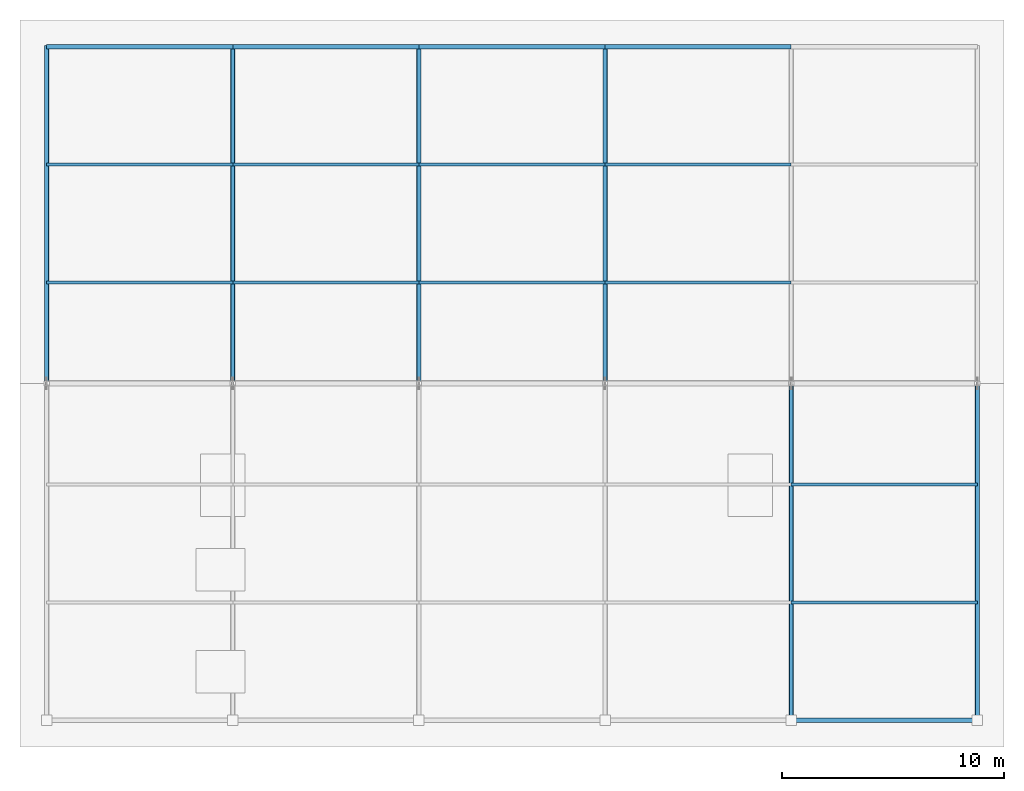
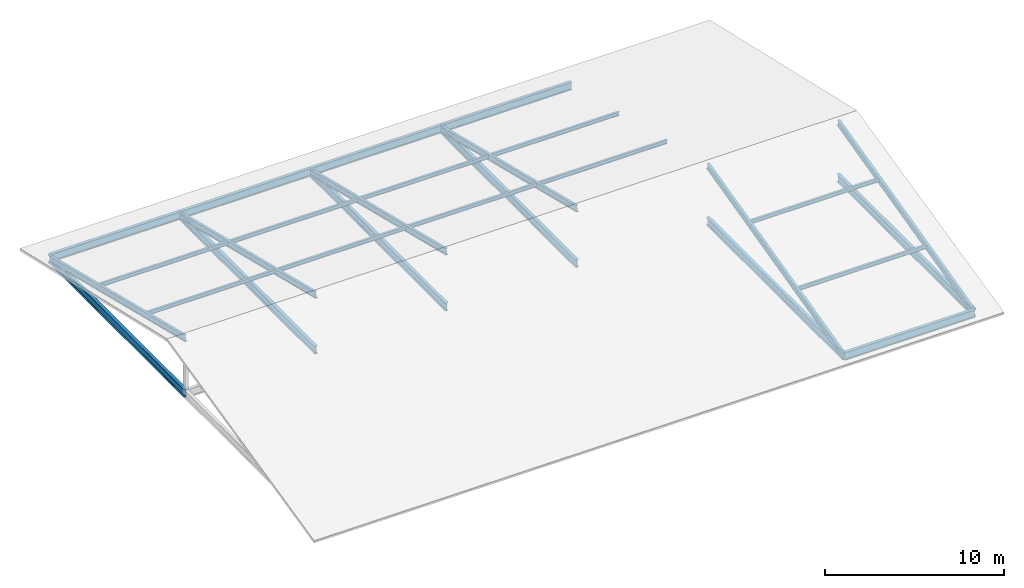
# One storey, part 3 of 8: 16 members, 11 beams.
"""IFC4 building model written with IfcOpenShell, lengths in metres."""

from ifc_helpers import new_model, si_unit, direction, frame, origin, origin_2d, place, context, subcontext, project, spatial, i_section, extrude, material, material_profile, profile_set, type_object, element, save


model = new_model("IFC4")

# Units and contexts
model_context = context("Model", 3, precision=1e-05, world=origin(), true_north=direction((0.0, 1.0)))
body_context = subcontext(model_context, "Body", "Model", "MODEL_VIEW")
ifc_project = project(units=[si_unit("LENGTHUNIT", "METRE"), si_unit("AREAUNIT", "SQUARE_METRE"), si_unit("VOLUMEUNIT", "CUBIC_METRE"), si_unit("PLANEANGLEUNIT", "RADIAN"), si_unit("MASSUNIT", "GRAM", prefix="KILO")], contexts=[model_context])

# Site, building, storey
site_placement = place(None, origin())
site = spatial("IfcSite", under=ifc_project, at=site_placement, CompositionType="ELEMENT")
building_placement = place(site_placement, origin())
building = spatial("IfcBuilding", under=site, at=building_placement, Name="Zuvorla Pavilion Media Centre", CompositionType="ELEMENT")
storey_placement = place(building_placement, frame((0.0, 0.0, 31.199951171875)))
storey = spatial("IfcBuildingStorey", under=building, at=storey_placement, Name="RF", CompositionType="ELEMENT", Elevation=31.199951171875)

# Beams
ifc_material = material(Name="Steel S355", Category="steel")
ifc_material_profile_1 = material_profile(ifc_material, i_section(OverallWidth=0.2099609375, OverallDepth=0.53662109375, WebThickness=0.0107421875, FlangeThickness=0.017333984375, FilletRadius=0.0126953125, at=origin_2d()), Name="UB 533x210x101")
ifc_profile_set_1 = profile_set([ifc_material_profile_1], Name="Steel S355")
beam_type = type_object("IfcBeamType", Name="BM-UB533", PredefinedType="BEAM", material=ifc_profile_set_1)
beam_1_placement = place(storey_placement, frame((100.39990234375, 6.0, -0.280029296875), z_axis=(1.0, 0.0, 0.0), x_axis=(0.0, 1.0, 0.0)))
element("IfcBeam", 1, at=beam_1_placement, inside=storey, type_object=beam_type, Name="RF beam B08 1836", PredefinedType="BEAM", context=body_context, shape_type="SweptSolid", body=[
    extrude(i_section(OverallWidth=0.2099609375, OverallDepth=0.53662109375, WebThickness=0.0107421875, FlangeThickness=0.017333984375, FilletRadius=0.0126953125, at=origin_2d()), origin(), (0.0, 0.0, 1.0), 8.400146484375),
])
beam_2_placement = place(storey_placement, frame((66.800048828125, 36.39990234375, -0.280029296875), z_axis=(1.0, 0.0, 0.0), x_axis=(0.0, 1.0, 0.0)))
element("IfcBeam", 2, at=beam_2_placement, inside=storey, type_object=beam_type, Name="RF beam B08 1842", PredefinedType="BEAM", context=body_context, shape_type="SweptSolid", body=[
    extrude(i_section(OverallWidth=0.2099609375, OverallDepth=0.53662109375, WebThickness=0.0107421875, FlangeThickness=0.017333984375, FilletRadius=0.0126953125, at=origin_2d()), origin(), (0.0, 0.0, 1.0), 8.39990234375),
])
beam_3_placement = place(storey_placement, frame((75.199951171875, 36.39990234375, -0.280029296875), z_axis=(1.0, 0.0, 0.0), x_axis=(0.0, 1.0, 0.0)))
element("IfcBeam", 3, at=beam_3_placement, inside=storey, type_object=beam_type, Name="RF beam B08 1843", PredefinedType="BEAM", context=body_context, shape_type="SweptSolid", body=[
    extrude(i_section(OverallWidth=0.2099609375, OverallDepth=0.53662109375, WebThickness=0.0107421875, FlangeThickness=0.017333984375, FilletRadius=0.0126953125, at=origin_2d()), origin(), (0.0, 0.0, 1.0), 8.400146484375),
])
for number, where, z_axis, x_axis, name in (
    (4, (83.60009765625, 36.39990234375, -0.280029296875), (1.0, 0.0, 0.0), (0.0, 1.0, 0.0), "RF beam B08 1844"),
    (5, (92.0, 36.39990234375, -0.280029296875), (1.0, 0.0, 0.0), (0.0, 1.0, 0.0), "RF beam B08 1845"),
):
    element("IfcBeam", number, at=place(storey_placement, frame(where, z_axis=z_axis, x_axis=x_axis)), inside=storey, type_object=beam_type, Name=name, PredefinedType="BEAM", context=body_context, shape_type="SweptSolid", body=[
        extrude(i_section(OverallWidth=0.2099609375, OverallDepth=0.53662109375, WebThickness=0.0107421875, FlangeThickness=0.017333984375, FilletRadius=0.0126953125, at=origin_2d()), origin(), (0.0, 0.0, 1.0), 8.39990234375),
    ])
for number, where, z_axis, x_axis, name in (
    (6, (66.800048828125, 21.199951171875, -0.280029296875), (0.0, 1.0, 0.0), (-1.0, 0.0, 0.0), "RF beam B08 1848"),
    (7, (75.199951171875, 21.199951171875, -0.280029296875), (0.0, 1.0, 0.0), (-1.0, 0.0, 0.0), "RF beam B08 1850"),
    (8, (83.60009765625, 21.199951171875, -0.280029296875), (0.0, 1.0, 0.0), (-1.0, 0.0, 0.0), "RF beam B08 1852"),
    (9, (92.0, 21.199951171875, -0.280029296875), (0.0, 1.0, 0.0), (-1.0, 0.0, 0.0), "RF beam B08 1854"),
    (10, (100.39990234375, 6.0, -0.280029296875), (0.0, 1.0, 0.0), (-1.0, 0.0, 0.0), "RF beam B08 1855"),
    (11, (108.800048828125, 6.0, -0.280029296875), (0.0, 1.0, 0.0), (-1.0, 0.0, 0.0), "RF beam B08 1857"),
):
    element("IfcBeam", number, at=place(storey_placement, frame(where, z_axis=z_axis, x_axis=x_axis)), inside=storey, type_object=beam_type, Name=name, PredefinedType="BEAM", context=body_context, shape_type="SweptSolid", body=[
        extrude(i_section(OverallWidth=0.2099609375, OverallDepth=0.53662109375, WebThickness=0.0107421875, FlangeThickness=0.017333984375, FilletRadius=0.0126953125, at=origin_2d()), origin(), (0.0, 0.0, 1.0), 15.199951171875),
    ])

# Members
ifc_material_profile_2 = material_profile(ifc_material, i_section(OverallWidth=0.146484375, OverallDepth=0.256103515625, WebThickness=0.00634765625, FlangeThickness=0.010986328125, FilletRadius=0.007568359375, at=origin_2d()), Name="UB 254x146x37")
ifc_profile_set_2 = profile_set([ifc_material_profile_2], Name="Steel S355")
member_type_1 = type_object("IfcMemberType", Name="MEM-PUR-UB254", PredefinedType="PURLIN", material=ifc_profile_set_2)
for number, where, z_axis, x_axis, name in (
    (12, (66.800048828125, 31.080078125, 1.032470703125), (1.0, 0.0, 0.0), (0.0, 1.0, 0.0), "RF purlin PR02 818"),
    (13, (66.800048828125, 25.760009765625, 2.344970703125), (1.0, 0.0, 0.0), (0.0, 1.0, 0.0), "RF purlin PR02 820"),
):
    element("IfcMember", number, at=place(storey_placement, frame(where, z_axis=z_axis, x_axis=x_axis)), inside=storey, type_object=member_type_1, Name=name, PredefinedType="PURLIN", context=body_context, shape_type="SweptSolid", body=[
        extrude(i_section(OverallWidth=0.146484375, OverallDepth=0.256103515625, WebThickness=0.00634765625, FlangeThickness=0.010986328125, FilletRadius=0.007568359375, at=origin_2d()), origin(), (0.0, 0.0, 1.0), 8.39990234375),
    ])
for number, where, z_axis, x_axis, name in (
    (14, (75.199951171875, 31.080078125, 1.032470703125), (1.0, 0.0, 0.0), (0.0, 1.0, 0.0), "RF purlin PR02 823"),
    (15, (75.199951171875, 25.760009765625, 2.344970703125), (1.0, 0.0, 0.0), (0.0, 1.0, 0.0), "RF purlin PR02 825"),
):
    element("IfcMember", number, at=place(storey_placement, frame(where, z_axis=z_axis, x_axis=x_axis)), inside=storey, type_object=member_type_1, Name=name, PredefinedType="PURLIN", context=body_context, shape_type="SweptSolid", body=[
        extrude(i_section(OverallWidth=0.146484375, OverallDepth=0.256103515625, WebThickness=0.00634765625, FlangeThickness=0.010986328125, FilletRadius=0.007568359375, at=origin_2d()), origin(), (0.0, 0.0, 1.0), 8.400146484375),
    ])
for number, where, z_axis, x_axis, name in (
    (16, (83.60009765625, 31.080078125, 1.032470703125), (1.0, 0.0, 0.0), (0.0, 1.0, 0.0), "RF purlin PR02 828"),
    (17, (83.60009765625, 25.760009765625, 2.344970703125), (1.0, 0.0, 0.0), (0.0, 1.0, 0.0), "RF purlin PR02 830"),
    (18, (92.0, 31.080078125, 1.032470703125), (1.0, 0.0, 0.0), (0.0, 1.0, 0.0), "RF purlin PR02 833"),
    (19, (92.0, 25.760009765625, 2.344970703125), (1.0, 0.0, 0.0), (0.0, 1.0, 0.0), "RF purlin PR02 835"),
):
    element("IfcMember", number, at=place(storey_placement, frame(where, z_axis=z_axis, x_axis=x_axis)), inside=storey, type_object=member_type_1, Name=name, PredefinedType="PURLIN", context=body_context, shape_type="SweptSolid", body=[
        extrude(i_section(OverallWidth=0.146484375, OverallDepth=0.256103515625, WebThickness=0.00634765625, FlangeThickness=0.010986328125, FilletRadius=0.007568359375, at=origin_2d()), origin(), (0.0, 0.0, 1.0), 8.39990234375),
    ])
for number, where, z_axis, x_axis, name in (
    (20, (100.39990234375, 11.320068359375, 1.032470703125), (1.0, 0.0, 0.0), (0.0, 1.0, 0.0), "RF purlin PR02 837"),
    (21, (100.39990234375, 16.639892578125, 2.344970703125), (1.0, 0.0, 0.0), (0.0, 1.0, 0.0), "RF purlin PR02 839"),
):
    element("IfcMember", number, at=place(storey_placement, frame(where, z_axis=z_axis, x_axis=x_axis)), inside=storey, type_object=member_type_1, Name=name, PredefinedType="PURLIN", context=body_context, shape_type="SweptSolid", body=[
        extrude(i_section(OverallWidth=0.146484375, OverallDepth=0.256103515625, WebThickness=0.00634765625, FlangeThickness=0.010986328125, FilletRadius=0.007568359375, at=origin_2d()), origin(), (0.0, 0.0, 1.0), 8.400146484375),
    ])
ifc_material_profile_3 = material_profile(ifc_material, i_section(OverallWidth=0.1787109375, OverallDepth=0.409423828125, WebThickness=0.0087890625, FlangeThickness=0.014404296875, FilletRadius=0.01025390625, at=origin_2d()), Name="UB 406x178x67")
ifc_profile_set_3 = profile_set([ifc_material_profile_3], Name="Steel S355")
member_type_2 = type_object("IfcMemberType", Name="MEM-RAF-UB406", PredefinedType="RAFTER", material=ifc_profile_set_3)
for number, where, z_axis, x_axis, name in (
    (22, (66.800048828125, 36.39990234375, -0.280029296875), (0.0, -0.970889126904, 0.239529336951), (1.0, 0.0, 0.0), "RF rafter RF01 800"),
    (23, (75.199951171875, 36.39990234375, -0.280029296875), (0.0, -0.970889126904, 0.239529336951), (1.0, 0.0, 0.0), "RF rafter RF01 803"),
    (24, (83.60009765625, 36.39990234375, -0.280029296875), (0.0, -0.970889126904, 0.239529336951), (1.0, 0.0, 0.0), "RF rafter RF01 806"),
    (25, (92.0, 36.39990234375, -0.280029296875), (0.0, -0.970889126904, 0.239529336951), (1.0, 0.0, 0.0), "RF rafter RF01 809"),
    (26, (100.39990234375, 6.0, -0.280029296875), (0.0, 0.970889126904, 0.239529336951), (-1.0, 0.0, 0.0), "RF rafter RF01 811"),
    (27, (108.800048828125, 6.0, -0.280029296875), (0.0, 0.970889126904, 0.239529336951), (-1.0, 0.0, 0.0), "RF rafter RF01 814"),
):
    element("IfcMember", number, at=place(storey_placement, frame(where, z_axis=z_axis, x_axis=x_axis)), inside=storey, type_object=member_type_2, Name=name, PredefinedType="RAFTER", context=body_context, shape_type="SweptSolid", body=[
        extrude(i_section(OverallWidth=0.1787109375, OverallDepth=0.409423828125, WebThickness=0.0087890625, FlangeThickness=0.014404296875, FilletRadius=0.01025390625, at=origin_2d()), origin(), (0.0, 0.0, 1.0), 15.65576171875),
    ])

save(model, "model.ifc")
